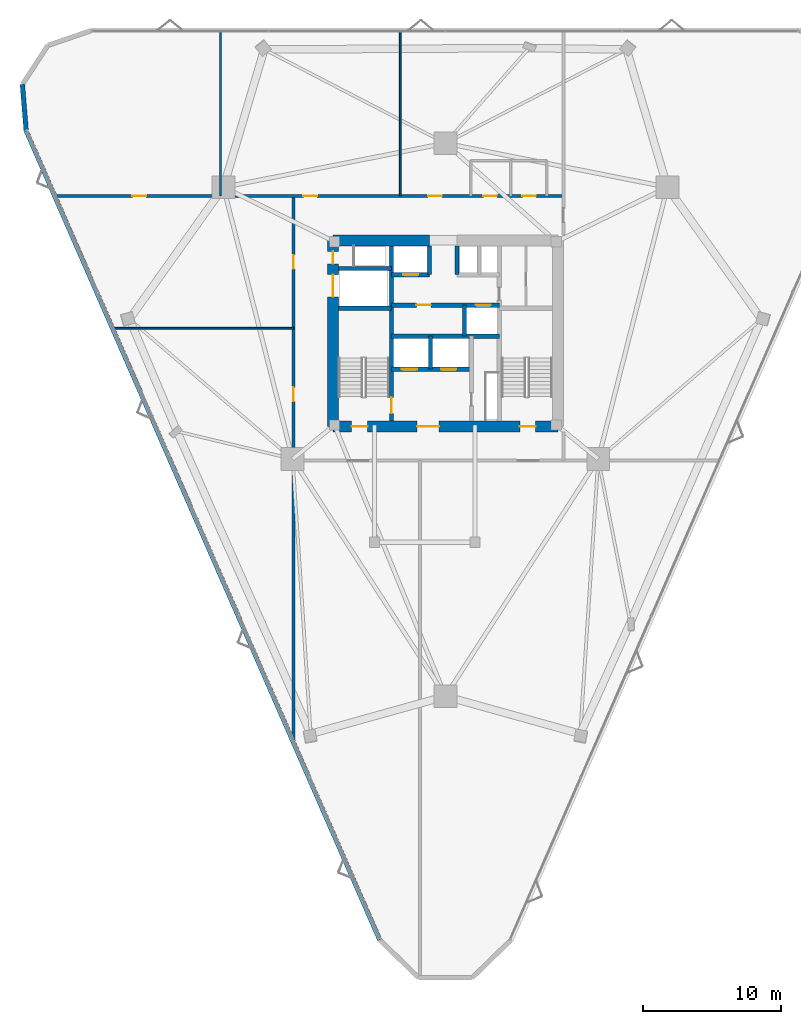
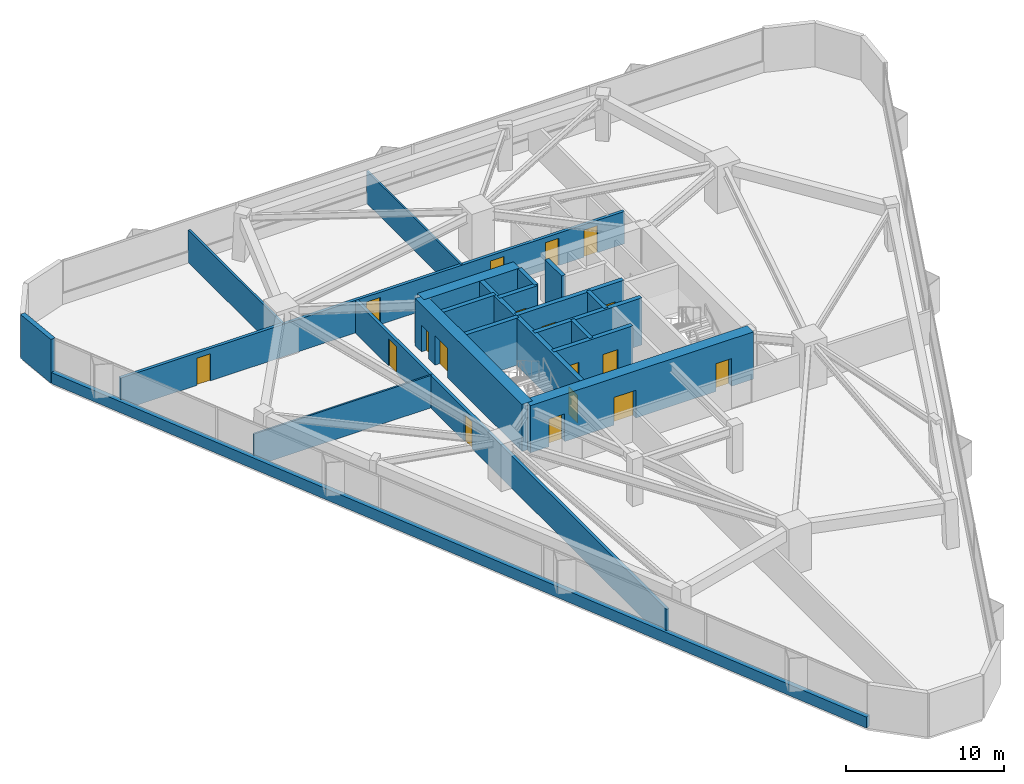
# One storey, part 13 of 16: 21 walls, 18 doors, 18 openings.
"""IFC4 building model written with IfcOpenShell, lengths in metres."""

from ifc_helpers import new_model, si_unit, direction, frame, frame_2d, origin, place, context, subcontext, project, spatial, rectangle, extrude, material, layer, layer_set, type_object, element, fill, save


model = new_model("IFC4")

# Units and contexts
model_context = context("Model", 3, precision=1e-05, world=origin(), true_north=direction((0.0, 1.0)))
body_context = subcontext(model_context, "Body", "Model", "MODEL_VIEW")
ifc_project = project(units=[si_unit("LENGTHUNIT", "METRE"), si_unit("AREAUNIT", "SQUARE_METRE"), si_unit("VOLUMEUNIT", "CUBIC_METRE"), si_unit("PLANEANGLEUNIT", "RADIAN"), si_unit("MASSUNIT", "GRAM", prefix="KILO")], contexts=[model_context])

# Site, building, storey
site_placement = place(None, origin())
site = spatial("IfcSite", under=ifc_project, at=site_placement, CompositionType="ELEMENT")
building_placement = place(site_placement, origin())
building = spatial("IfcBuilding", under=site, at=building_placement, Name="Talyreon Biosciences Tower", CompositionType="ELEMENT")
storey_placement = place(building_placement, frame((0.0, 0.0, 107.85009765625)))
storey = spatial("IfcBuildingStorey", under=building, at=storey_placement, Name="L28", CompositionType="ELEMENT", Elevation=107.85009765625)

# Walls
ifc_material_1 = material(Name="Concrete C50/60", Category="concrete")
ifc_layer_1 = layer(ifc_material_1, 0.280029296875)
ifc_layer_set_1 = layer_set([ifc_layer_1], Name="Concrete C50/60")
wall_type_1 = type_object("IfcWallType", Name="CoreShearWall_280", PredefinedType="SHEAR", material=ifc_layer_set_1)
wall_1_placement = place(storey_placement, frame((64.919921875, 65.39990234375, 0.0), z_axis=(0.0, 0.0, 1.0), x_axis=(0.0, 1.0, 0.0)))
element("IfcWall", 1, at=wall_1_placement, inside=storey, type_object=wall_type_1, Name="L28 Core Shaft Wall SWSHD1", PredefinedType="SHEAR", context=body_context, shape_type="SweptSolid", body=[
    extrude(rectangle(XDim=2.400146484375, YDim=0.280029296875, at=frame_2d((1.2001953125, 0.0))), origin(), (0.0, 0.0, 1.0), 3.64990234375),
])
for number, where, z_axis, x_axis, name in (
    (2, (64.85009765625, 72.25, 0.0), (0.0, 0.0, 1.0), (0.0, 1.0, 0.0), "L28 Core Shaft Wall SWTHW"),
    (3, (66.85009765625, 72.25, 0.0), (0.0, 0.0, 1.0), (0.0, 1.0, 0.0), "L28 Core Shaft Wall SWTHE"),
):
    element("IfcWall", number, at=place(storey_placement, frame(where, z_axis=z_axis, x_axis=x_axis)), inside=storey, type_object=wall_type_1, Name=name, PredefinedType="SHEAR", context=body_context, shape_type="SweptSolid", body=[
        extrude(rectangle(XDim=2.10009765625, YDim=0.280029296875, at=frame_2d((1.050048828125, 0.0))), origin(), (0.0, 0.0, 1.0), 3.64990234375),
    ])
wall_2_placement = place(storey_placement, frame((67.3798828125, 67.800048828125, 0.0), z_axis=(0.0, 0.0, 1.0), x_axis=(0.0, 1.0, 0.0)))
element("IfcWall", 4, at=wall_2_placement, inside=storey, type_object=wall_type_1, Name="L28 Core Shaft Wall SWPMD", PredefinedType="SHEAR", context=body_context, shape_type="SweptSolid", body=[
    extrude(rectangle(XDim=2.25, YDim=0.280029296875, at=frame_2d((1.125, 0.0))), origin(), (0.0, 0.0, 1.0), 3.64990234375),
])

# Wall, opening, door
ifc_layer_2 = layer(ifc_material_1, 0.320068359375)
ifc_layer_set_2 = layer_set([ifc_layer_2], Name="Concrete C50/60")
wall_type_2 = type_object("IfcWallType", Name="CoreShearWall_320", PredefinedType="SHEAR", material=ifc_layer_set_2)
wall_3_placement = place(storey_placement, frame((62.090087890625, 61.64990234375, 0.0), z_axis=(0.0, 0.0, 1.0), x_axis=(0.0, 1.0, 0.0)))
wall_3 = element("IfcWall", 5, at=wall_3_placement, inside=storey, type_object=wall_type_2, Name="L28 Core Shaft Wall SW1E", PredefinedType="SHEAR", context=body_context, shape_type="SweptSolid", body=[
    extrude(rectangle(XDim=12.7001953125, YDim=0.320068359375, at=frame_2d((6.35009765625, 0.0))), origin(), (0.0, 0.0, 1.0), 3.64990234375),
])
opening_1_placement = place(wall_3_placement, frame((0.550048828125, 0.0, 0.0)))
opening_1 = element("IfcOpeningElement", 6, at=opening_1_placement, cuts=wall_3, Name="Opening DR-L28-FF-ST1", PredefinedType="OPENING", context=body_context, shape_type="SweptSolid", body=[
    extrude(rectangle(XDim=1.14990234375, YDim=2.14990234375, at=frame_2d((0.574951171875, 1.074951171875))), frame((0.0, 0.169921875, 0.0), z_axis=(0.0, -1.0, 0.0), x_axis=(1.0, 0.0, 0.0)), (0.0, 0.0, 1.0), 0.340087890625),
])
ifc_material_2 = material(Name="Painted steel fire door", Category="steel")
door_type_1 = type_object("IfcDoorType", Name="StairShaftFireDoor_1150x2150", OperationType="NOTDEFINED", PredefinedType="DOOR", material=ifc_material_2)
door_1_placement = place(opening_1_placement, origin())
door_1 = element("IfcDoor", 7, at=door_1_placement, inside=storey, type_object=door_type_1, Name="L28 Core Door DR-L28-FF-ST1", OperationType="SINGLE_SWING_LEFT", OverallHeight=2.14990234375, OverallWidth=1.14990234375, PredefinedType="DOOR", context=body_context, shape_type="SweptSolid", body=[
    extrude(rectangle(XDim=1.14990234375, YDim=2.14990234375, at=frame_2d((0.574951171875, 1.074951171875))), frame((0.0, 0.02490234375, 0.0), z_axis=(0.0, -1.0, 0.0), x_axis=(1.0, 0.0, 0.0)), (0.0, 0.0, 1.0), 0.050048828125),
])
fill(opening_1, door_1)

# Walls
for number, where, z_axis, x_axis, name in (
    (8, (58.25, 69.81005859375, 0.0), (0.0, 0.0, 1.0), (1.0, 0.0, 0.0), "L28 Core Shaft Wall SW1N"),
    (9, (58.25, 72.699951171875, 0.0), (0.0, 0.0, 1.0), (1.0, 0.0, 0.0), "L28 Core Shaft Wall SWGLN"),
):
    element("IfcWall", number, at=place(storey_placement, frame(where, z_axis=z_axis, x_axis=x_axis)), inside=storey, type_object=wall_type_2, Name=name, PredefinedType="SHEAR", context=body_context, shape_type="SweptSolid", body=[
        extrude(rectangle(XDim=3.840087890625, YDim=0.320068359375, at=frame_2d((1.919921875, 0.0))), origin(), (0.0, 0.0, 1.0), 3.64990234375),
    ])
wall_4_placement = place(storey_placement, frame((62.090087890625, 67.800048828125, 0.0), z_axis=(0.0, 0.0, 1.0), x_axis=(1.0, 0.0, 0.0)))
element("IfcWall", 10, at=wall_4_placement, inside=storey, type_object=wall_type_2, Name="L28 Core Shaft Wall SWSHM", PredefinedType="SHEAR", context=body_context, shape_type="SweptSolid", body=[
    extrude(rectangle(XDim=7.81982421875, YDim=0.320068359375, at=frame_2d((3.909912109375, 0.0))), origin(), (0.0, 0.0, 1.0), 3.64990234375),
])

# Wall, openings, doors
wall_5_placement = place(storey_placement, frame((62.090087890625, 70.050048828125, 0.0), z_axis=(0.0, 0.0, 1.0), x_axis=(1.0, 0.0, 0.0)))
wall_5 = element("IfcWall", 11, at=wall_5_placement, inside=storey, type_object=wall_type_2, Name="L28 Core Shaft Wall SWSPN", PredefinedType="SHEAR", context=body_context, shape_type="SweptSolid", body=[
    extrude(rectangle(XDim=7.81982421875, YDim=0.320068359375, at=frame_2d((3.909912109375, 0.0))), origin(), (0.0, 0.0, 1.0), 3.64990234375),
])
opening_2_placement = place(wall_5_placement, frame((1.800048828125, 0.0, 0.0)))
opening_2 = element("IfcOpeningElement", 12, at=opening_2_placement, cuts=wall_5, Name="Opening DR-L28-PLFREE-A", PredefinedType="OPENING", context=body_context, shape_type="SweptSolid", body=[
    extrude(rectangle(XDim=1.050048828125, YDim=2.14990234375, at=frame_2d((0.52490234375, 1.074951171875))), frame((0.0, 0.169921875, 0.0), z_axis=(0.0, -1.0, 0.0), x_axis=(1.0, 0.0, 0.0)), (0.0, 0.0, 1.0), 0.340087890625),
])
opening_3_placement = place(wall_5_placement, frame((6.10009765625, 0.0, 0.0)))
opening_3 = element("IfcOpeningElement", 13, at=opening_3_placement, cuts=wall_5, Name="Opening LD-L28-PM1", PredefinedType="OPENING", context=body_context, shape_type="SweptSolid", body=[
    extrude(rectangle(XDim=1.10009765625, YDim=2.199951171875, at=frame_2d((0.550048828125, 1.10009765625))), frame((0.0, 0.169921875, 0.0), z_axis=(0.0, -1.0, 0.0), x_axis=(1.0, 0.0, 0.0)), (0.0, 0.0, 1.0), 0.340087890625),
])
ifc_material_3 = material(Name="Acoustic timber-core laboratory door", Category="wood")
door_type_2 = type_object("IfcDoorType", Name="DryLabSingleDoor_1050x2150", OperationType="NOTDEFINED", PredefinedType="DOOR", material=ifc_material_3)
door_2_placement = place(opening_2_placement, origin())
door_2 = element("IfcDoor", 14, at=door_2_placement, inside=storey, type_object=door_type_2, Name="L28 Core Door DR-L28-PLFREE-A", OperationType="SINGLE_SWING_LEFT", OverallHeight=2.14990234375, OverallWidth=1.050048828125, PredefinedType="DOOR", context=body_context, shape_type="SweptSolid", body=[
    extrude(rectangle(XDim=1.050048828125, YDim=2.14990234375, at=frame_2d((0.52490234375, 1.074951171875))), frame((0.0, 0.02490234375, 0.0), z_axis=(0.0, -1.0, 0.0), x_axis=(1.0, 0.0, 0.0)), (0.0, 0.0, 1.0), 0.050048828125),
])
fill(opening_2, door_2)
ifc_material_4 = material(Name="Brushed stainless-steel lift landing door", Category="steel")
door_type_3 = type_object("IfcDoorType", Name="LiftSlidingLandingDoor_1100x2200", OperationType="SLIDING_TO_LEFT", PredefinedType="DOOR", material=ifc_material_4)
door_3_placement = place(opening_3_placement, origin())
door_3 = element("IfcDoor", 15, at=door_3_placement, inside=storey, type_object=door_type_3, Name="L28 Core Door LD-L28-PM1", OperationType="SLIDING_TO_LEFT", OverallHeight=2.199951171875, OverallWidth=1.10009765625, PredefinedType="DOOR", context=body_context, shape_type="SweptSolid", body=[
    extrude(rectangle(XDim=1.10009765625, YDim=2.199951171875, at=frame_2d((0.550048828125, 1.10009765625))), frame((0.0, 0.02490234375, 0.0), z_axis=(0.0, -1.0, 0.0), x_axis=(1.0, 0.0, 0.0)), (0.0, 0.0, 1.0), 0.050048828125),
])
fill(opening_3, door_3)

# Wall, opening, door
wall_6_placement = place(storey_placement, frame((62.090087890625, 72.25, 0.0), z_axis=(0.0, 0.0, 1.0), x_axis=(1.0, 0.0, 0.0)))
wall_6 = element("IfcWall", 16, at=wall_6_placement, inside=storey, type_object=wall_type_2, Name="L28 Core Shaft Wall SWNPW", PredefinedType="SHEAR", context=body_context, shape_type="SweptSolid", body=[
    extrude(rectangle(XDim=2.760009765625, YDim=0.320068359375, at=frame_2d((1.3798828125, 0.0))), origin(), (0.0, 0.0, 1.0), 3.64990234375),
])
opening_4_placement = place(wall_6_placement, frame((0.85009765625, 0.0, 0.0)))
opening_4 = element("IfcOpeningElement", 17, at=opening_4_placement, cuts=wall_6, Name="Opening LD-L28-PM2", PredefinedType="OPENING", context=body_context, shape_type="SweptSolid", body=[
    extrude(rectangle(XDim=1.10009765625, YDim=2.199951171875, at=frame_2d((0.550048828125, 1.10009765625))), frame((0.0, 0.169921875, 0.0), z_axis=(0.0, -1.0, 0.0), x_axis=(1.0, 0.0, 0.0)), (0.0, 0.0, 1.0), 0.340087890625),
])
door_4_placement = place(opening_4_placement, origin())
door_4 = element("IfcDoor", 18, at=door_4_placement, inside=storey, type_object=door_type_3, Name="L28 Core Door LD-L28-PM2", OperationType="SLIDING_TO_LEFT", OverallHeight=2.199951171875, OverallWidth=1.10009765625, PredefinedType="DOOR", context=body_context, shape_type="SweptSolid", body=[
    extrude(rectangle(XDim=1.10009765625, YDim=2.199951171875, at=frame_2d((0.550048828125, 1.10009765625))), frame((0.0, 0.02490234375, 0.0), z_axis=(0.0, -1.0, 0.0), x_axis=(1.0, 0.0, 0.0)), (0.0, 0.0, 1.0), 0.050048828125),
])
fill(opening_4, door_4)

# Wall, openings, doors
wall_7_placement = place(storey_placement, frame((62.090087890625, 65.39990234375, 0.0), z_axis=(0.0, 0.0, 1.0), x_axis=(1.0, 0.0, 0.0)))
wall_7 = element("IfcWall", 19, at=wall_7_placement, inside=storey, type_object=wall_type_2, Name="L28 Core Shaft Wall SWFFN", PredefinedType="SHEAR", context=body_context, shape_type="SweptSolid", body=[
    extrude(rectangle(XDim=5.789794921875, YDim=0.320068359375, at=frame_2d((2.89501953125, 0.0))), origin(), (0.0, 0.0, 1.0), 3.64990234375),
])
opening_5_placement = place(wall_7_placement, frame((0.75, 0.0, 0.0)))
opening_5 = element("IfcOpeningElement", 20, at=opening_5_placement, cuts=wall_7, Name="Opening LD-L28-FL1", PredefinedType="OPENING", context=body_context, shape_type="SweptSolid", body=[
    extrude(rectangle(XDim=1.10009765625, YDim=2.199951171875, at=frame_2d((0.550048828125, 1.10009765625))), frame((0.0, 0.169921875, 0.0), z_axis=(0.0, -1.0, 0.0), x_axis=(1.0, 0.0, 0.0)), (0.0, 0.0, 1.0), 0.340087890625),
])
opening_6_placement = place(wall_7_placement, frame((3.60009765625, 0.0, 0.0)))
opening_6 = element("IfcOpeningElement", 21, at=opening_6_placement, cuts=wall_7, Name="Opening LD-L28-FL2", PredefinedType="OPENING", context=body_context, shape_type="SweptSolid", body=[
    extrude(rectangle(XDim=1.10009765625, YDim=2.199951171875, at=frame_2d((0.550048828125, 1.10009765625))), frame((0.0, 0.169921875, 0.0), z_axis=(0.0, -1.0, 0.0), x_axis=(1.0, 0.0, 0.0)), (0.0, 0.0, 1.0), 0.340087890625),
])
door_5_placement = place(opening_5_placement, origin())
door_5 = element("IfcDoor", 22, at=door_5_placement, inside=storey, type_object=door_type_3, Name="L28 Core Door LD-L28-FL1", OperationType="SLIDING_TO_LEFT", OverallHeight=2.199951171875, OverallWidth=1.10009765625, PredefinedType="DOOR", context=body_context, shape_type="SweptSolid", body=[
    extrude(rectangle(XDim=1.10009765625, YDim=2.199951171875, at=frame_2d((0.550048828125, 1.10009765625))), frame((0.0, 0.02490234375, 0.0), z_axis=(0.0, -1.0, 0.0), x_axis=(1.0, 0.0, 0.0)), (0.0, 0.0, 1.0), 0.050048828125),
])
fill(opening_5, door_5)
door_6_placement = place(opening_6_placement, origin())
door_6 = element("IfcDoor", 23, at=door_6_placement, inside=storey, type_object=door_type_3, Name="L28 Core Door LD-L28-FL2", OperationType="SLIDING_TO_LEFT", OverallHeight=2.199951171875, OverallWidth=1.10009765625, PredefinedType="DOOR", context=body_context, shape_type="SweptSolid", body=[
    extrude(rectangle(XDim=1.10009765625, YDim=2.199951171875, at=frame_2d((0.550048828125, 1.10009765625))), frame((0.0, 0.02490234375, 0.0), z_axis=(0.0, -1.0, 0.0), x_axis=(1.0, 0.0, 0.0)), (0.0, 0.0, 1.0), 0.050048828125),
])
fill(opening_6, door_6)

ifc_material_5 = material(Name="Concrete C60/75", Category="concrete")
ifc_layer_3 = layer(ifc_material_5, 0.800048828125)
ifc_layer_set_3 = layer_set([ifc_layer_3], Name="Concrete C60/75")
wall_type_3 = type_object("IfcWallType", Name="CoreShearWall_800", PredefinedType="SHEAR", material=ifc_layer_set_3)
wall_8_placement = place(storey_placement, frame((57.85009765625, 61.25, 0.0), z_axis=(0.0, 0.0, 1.0), x_axis=(1.0, 0.0, 0.0)))
wall_8 = element("IfcWall", 24, at=wall_8_placement, inside=storey, type_object=wall_type_3, Name="L28 Core Shear Wall S", PredefinedType="SHEAR", context=body_context, shape_type="SweptSolid", body=[
    extrude(rectangle(XDim=16.2998046875, YDim=0.800048828125, at=frame_2d((8.14990234375, 0.0))), origin(), (0.0, 0.0, 1.0), 3.64990234375),
])
opening_7_placement = place(wall_8_placement, frame((1.35009765625, 0.0, 0.0)))
opening_7 = element("IfcOpeningElement", 25, at=opening_7_placement, cuts=wall_8, Name="Opening DR-L28-ST1", PredefinedType="OPENING", context=body_context, shape_type="SweptSolid", body=[
    extrude(rectangle(XDim=1.14990234375, YDim=2.14990234375, at=frame_2d((0.574951171875, 1.074951171875))), frame((0.0, 0.409912109375, 0.0), z_axis=(0.0, -1.0, 0.0), x_axis=(1.0, 0.0, 0.0)), (0.0, 0.0, 1.0), 0.820068359375),
])
opening_8_placement = place(wall_8_placement, frame((6.10009765625, 0.0, 0.0)))
opening_8 = element("IfcOpeningElement", 26, at=opening_8_placement, cuts=wall_8, Name="Opening DR-L28-FFL", PredefinedType="OPENING", context=body_context, shape_type="SweptSolid", body=[
    extrude(rectangle(XDim=1.60009765625, YDim=2.14990234375, at=frame_2d((0.800048828125, 1.074951171875))), frame((0.0, 0.409912109375, 0.0), z_axis=(0.0, -1.0, 0.0), x_axis=(1.0, 0.0, 0.0)), (0.0, 0.0, 1.0), 0.820068359375),
])
opening_9_placement = place(wall_8_placement, frame((13.550048828125, 0.0, 0.0)))
opening_9 = element("IfcOpeningElement", 27, at=opening_9_placement, cuts=wall_8, Name="Opening DR-L28-ST2", PredefinedType="OPENING", context=body_context, shape_type="SweptSolid", body=[
    extrude(rectangle(XDim=1.14990234375, YDim=2.14990234375, at=frame_2d((0.574951171875, 1.074951171875))), frame((0.0, 0.409912109375, 0.0), z_axis=(0.0, -1.0, 0.0), x_axis=(1.0, 0.0, 0.0)), (0.0, 0.0, 1.0), 0.820068359375),
])
ifc_material_6 = material(Name="Painted steel smoke-seal fire door", Category="steel")
door_type_4 = type_object("IfcDoorType", Name="FirefightingLobbyDoubleDoor_1600x2150", OperationType="DOUBLE_DOOR_SINGLE_SWING", PredefinedType="DOOR", material=ifc_material_6)
door_7_placement = place(opening_8_placement, origin())
door_7 = element("IfcDoor", 28, at=door_7_placement, inside=storey, type_object=door_type_4, Name="L28 Core Door DR-L28-FFL", OperationType="DOUBLE_DOOR_SINGLE_SWING", OverallHeight=2.14990234375, OverallWidth=1.60009765625, PredefinedType="DOOR", context=body_context, shape_type="SweptSolid", body=[
    extrude(rectangle(XDim=1.60009765625, YDim=2.14990234375, at=frame_2d((0.800048828125, 1.074951171875))), frame((0.0, 0.02490234375, 0.0), z_axis=(0.0, -1.0, 0.0), x_axis=(1.0, 0.0, 0.0)), (0.0, 0.0, 1.0), 0.050048828125),
])
fill(opening_8, door_7)
door_8_placement = place(opening_7_placement, origin())
door_8 = element("IfcDoor", 29, at=door_8_placement, inside=storey, type_object=door_type_1, Name="L28 Core Door DR-L28-ST1", OperationType="SINGLE_SWING_LEFT", OverallHeight=2.14990234375, OverallWidth=1.14990234375, PredefinedType="DOOR", context=body_context, shape_type="SweptSolid", body=[
    extrude(rectangle(XDim=1.14990234375, YDim=2.14990234375, at=frame_2d((0.574951171875, 1.074951171875))), frame((0.0, 0.02490234375, 0.0), z_axis=(0.0, -1.0, 0.0), x_axis=(1.0, 0.0, 0.0)), (0.0, 0.0, 1.0), 0.050048828125),
])
fill(opening_7, door_8)
door_9_placement = place(opening_9_placement, origin())
door_9 = element("IfcDoor", 30, at=door_9_placement, inside=storey, type_object=door_type_1, Name="L28 Core Door DR-L28-ST2", OperationType="SINGLE_SWING_RIGHT", OverallHeight=2.14990234375, OverallWidth=1.14990234375, PredefinedType="DOOR", context=body_context, shape_type="SweptSolid", body=[
    extrude(rectangle(XDim=1.14990234375, YDim=2.14990234375, at=frame_2d((0.574951171875, 1.074951171875))), frame((0.0, 0.02490234375, 0.0), z_axis=(0.0, -1.0, 0.0), x_axis=(1.0, 0.0, 0.0)), (0.0, 0.0, 1.0), 0.050048828125),
])
fill(opening_9, door_9)

# Wall
wall_9_placement = place(storey_placement, frame((64.85009765625, 74.75, 0.0), z_axis=(0.0, 0.0, 1.0), x_axis=(-1.0, 0.0, 0.0)))
element("IfcWall", 31, at=wall_9_placement, inside=storey, type_object=wall_type_3, Name="L28 Core Shear Wall NW", PredefinedType="SHEAR", context=body_context, shape_type="SweptSolid", body=[
    extrude(rectangle(XDim=7.0, YDim=0.800048828125, at=frame_2d((3.5, 0.0))), origin(), (0.0, 0.0, 1.0), 3.64990234375),
])

# Wall, openings, doors
wall_10_placement = place(storey_placement, frame((57.85009765625, 74.75, 0.0), z_axis=(0.0, 0.0, 1.0), x_axis=(0.0, -1.0, 0.0)))
wall_10 = element("IfcWall", 32, at=wall_10_placement, inside=storey, type_object=wall_type_3, Name="L28 Core Shear Wall W", PredefinedType="SHEAR", context=body_context, shape_type="SweptSolid", body=[
    extrude(rectangle(XDim=13.5, YDim=0.800048828125, at=frame_2d((6.75, 0.0))), origin(), (0.0, 0.0, 1.0), 3.64990234375),
])
opening_10_placement = place(wall_10_placement, frame((0.800048828125, 0.0, 0.0)))
opening_10 = element("IfcOpeningElement", 33, at=opening_10_placement, cuts=wall_10, Name="Opening DR-L28-RSW", PredefinedType="OPENING", context=body_context, shape_type="SweptSolid", body=[
    extrude(rectangle(XDim=0.919921875, YDim=2.050048828125, at=frame_2d((0.4599609375, 1.02490234375))), frame((0.0, 0.409912109375, 0.0), z_axis=(0.0, -1.0, 0.0), x_axis=(1.0, 0.0, 0.0)), (0.0, 0.0, 1.0), 0.820068359375),
])
opening_11_placement = place(wall_10_placement, frame((2.5, 0.0, 0.0)))
opening_11 = element("IfcOpeningElement", 34, at=opening_11_placement, cuts=wall_10, Name="Opening LD-L28-GL1", PredefinedType="OPENING", context=body_context, shape_type="SweptSolid", body=[
    extrude(rectangle(XDim=1.60009765625, YDim=2.300048828125, at=frame_2d((0.800048828125, 1.14990234375))), frame((0.0, 0.409912109375, 0.0), z_axis=(0.0, -1.0, 0.0), x_axis=(1.0, 0.0, 0.0)), (0.0, 0.0, 1.0), 0.820068359375),
])
ifc_material_7 = material(Name="Heavy-duty stainless-steel goods lift door", Category="steel")
door_type_5 = type_object("IfcDoorType", Name="GoodsLiftSlidingDoor_1600x2300", OperationType="DOUBLE_DOOR_SLIDING", PredefinedType="DOOR", material=ifc_material_7)
door_10_placement = place(opening_11_placement, origin())
door_10 = element("IfcDoor", 35, at=door_10_placement, inside=storey, type_object=door_type_5, Name="L28 Core Door LD-L28-GL1", OperationType="DOUBLE_DOOR_SLIDING", OverallHeight=2.300048828125, OverallWidth=1.60009765625, PredefinedType="DOOR", context=body_context, shape_type="SweptSolid", body=[
    extrude(rectangle(XDim=1.60009765625, YDim=2.300048828125, at=frame_2d((0.800048828125, 1.14990234375))), frame((0.0, 0.02490234375, 0.0), z_axis=(0.0, -1.0, 0.0), x_axis=(1.0, 0.0, 0.0)), (0.0, 0.0, 1.0), 0.050048828125),
])
fill(opening_11, door_10)
ifc_material_8 = material(Name="Painted steel fire-rated riser door", Category="steel")
door_type_6 = type_object("IfcDoorType", Name="RiserPlantAccessDoor_920x2050", OperationType="NOTDEFINED", PredefinedType="DOOR", material=ifc_material_8)
door_11_placement = place(opening_10_placement, origin())
door_11 = element("IfcDoor", 36, at=door_11_placement, inside=storey, type_object=door_type_6, Name="L28 Core Door DR-L28-RSW", OperationType="SINGLE_SWING_LEFT", OverallHeight=2.050048828125, OverallWidth=0.919921875, PredefinedType="DOOR", context=body_context, shape_type="SweptSolid", body=[
    extrude(rectangle(XDim=0.919921875, YDim=2.050048828125, at=frame_2d((0.4599609375, 1.02490234375))), frame((0.0, 0.02490234375, 0.0), z_axis=(0.0, -1.0, 0.0), x_axis=(1.0, 0.0, 0.0)), (0.0, 0.0, 1.0), 0.050048828125),
])
fill(opening_10, door_11)

ifc_material_9 = material(Name="Gypsum fireboard acoustic stud", Category="gypsum")
ifc_layer_4 = layer(ifc_material_9, 0.219970703125)
ifc_layer_set_4 = layer_set([ifc_layer_4], Name="Gypsum fireboard acoustic stud")
wall_type_4 = type_object("IfcWallType", Name="CorridorRatedPartition_220", PredefinedType="PARTITIONING", material=ifc_layer_set_4)
wall_11_placement = place(storey_placement, frame((37.74267578125, 77.969970703125, 0.0), z_axis=(0.0, 0.0, 1.0), x_axis=(1.0, 0.0, 0.0)))
wall_11 = element("IfcWall", 37, at=wall_11_placement, inside=storey, type_object=wall_type_4, Name="L28 Interior Wall IW-L28-COR-N", PredefinedType="PARTITIONING", context=body_context, shape_type="SweptSolid", body=[
    extrude(rectangle(XDim=36.807373046875, YDim=0.219970703125, at=frame_2d((18.40380859375, 0.0))), origin(), (0.0, 0.0, 1.0), 2.5048828125),
])
opening_12_placement = place(wall_11_placement, frame((31.01708984375, 0.0, 0.0)))
opening_12 = element("IfcOpeningElement", 38, at=opening_12_placement, cuts=wall_11, Name="Opening DR-L28-WC", PredefinedType="OPENING", context=body_context, shape_type="SweptSolid", body=[
    extrude(rectangle(XDim=0.97998046875, YDim=2.10009765625, at=frame_2d((0.489990234375, 1.050048828125))), frame((0.0, 0.119873046875, 0.0), z_axis=(0.0, -1.0, 0.0), x_axis=(1.0, 0.0, 0.0)), (0.0, 0.0, 1.0), 0.239990234375),
])
opening_13_placement = place(wall_11_placement, frame((33.842041015625, 0.0, 0.0)))
opening_13 = element("IfcOpeningElement", 39, at=opening_13_placement, cuts=wall_11, Name="Opening DR-L28-AWC", PredefinedType="OPENING", context=body_context, shape_type="SweptSolid", body=[
    extrude(rectangle(XDim=0.97998046875, YDim=2.10009765625, at=frame_2d((0.489990234375, 1.050048828125))), frame((0.0, 0.119873046875, 0.0), z_axis=(0.0, -1.0, 0.0), x_axis=(1.0, 0.0, 0.0)), (0.0, 0.0, 1.0), 0.239990234375),
])
opening_14_placement = place(wall_11_placement, frame((5.544921875, 0.0, 0.0)))
opening_14 = element("IfcOpeningElement", 40, at=opening_14_placement, cuts=wall_11, Name="Opening DR-L28-N1A", PredefinedType="OPENING", context=body_context, shape_type="SweptSolid", body=[
    extrude(rectangle(XDim=1.0, YDim=2.10009765625, at=frame_2d((0.5, 1.050048828125))), frame((0.0, 0.119873046875, 0.0), z_axis=(0.0, -1.0, 0.0), x_axis=(1.0, 0.0, 0.0)), (0.0, 0.0, 1.0), 0.239990234375),
])
opening_15_placement = place(wall_11_placement, frame((17.95703125, 0.0, 0.0)))
opening_15 = element("IfcOpeningElement", 41, at=opening_15_placement, cuts=wall_11, Name="Opening DR-L28-N2A", PredefinedType="OPENING", context=body_context, shape_type="SweptSolid", body=[
    extrude(rectangle(XDim=1.0, YDim=2.10009765625, at=frame_2d((0.5, 1.050048828125))), frame((0.0, 0.119873046875, 0.0), z_axis=(0.0, -1.0, 0.0), x_axis=(1.0, 0.0, 0.0)), (0.0, 0.0, 1.0), 0.239990234375),
])
opening_16_placement = place(wall_11_placement, frame((27.0009765625, 0.0, 0.0)))
opening_16 = element("IfcOpeningElement", 42, at=opening_16_placement, cuts=wall_11, Name="Opening DR-L28-N3A", PredefinedType="OPENING", context=body_context, shape_type="SweptSolid", body=[
    extrude(rectangle(XDim=1.0, YDim=2.10009765625, at=frame_2d((0.5, 1.050048828125))), frame((0.0, 0.119873046875, 0.0), z_axis=(0.0, -1.0, 0.0), x_axis=(1.0, 0.0, 0.0)), (0.0, 0.0, 1.0), 0.239990234375),
])
ifc_material_10 = material(Name="Laminate moisture-resistant door", Category="wood")
door_type_7 = type_object("IfcDoorType", Name="AccessibleToiletDoor_980x2100", OperationType="NOTDEFINED", PredefinedType="DOOR", material=ifc_material_10)
door_12_placement = place(opening_12_placement, origin())
door_12 = element("IfcDoor", 43, at=door_12_placement, inside=storey, type_object=door_type_7, Name="L28 Interior Door DR-L28-WC", OperationType="SINGLE_SWING_RIGHT", OverallHeight=2.10009765625, OverallWidth=0.97998046875, PredefinedType="DOOR", context=body_context, shape_type="SweptSolid", body=[
    extrude(rectangle(XDim=0.97998046875, YDim=2.10009765625, at=frame_2d((0.489990234375, 1.050048828125))), frame((0.0, 0.02490234375, 0.0), z_axis=(0.0, -1.0, 0.0), x_axis=(1.0, 0.0, 0.0)), (0.0, 0.0, 1.0), 0.050048828125),
])
fill(opening_12, door_12)
door_13_placement = place(opening_13_placement, origin())
door_13 = element("IfcDoor", 44, at=door_13_placement, inside=storey, type_object=door_type_7, Name="L28 Interior Door DR-L28-AWC", OperationType="SINGLE_SWING_RIGHT", OverallHeight=2.10009765625, OverallWidth=0.97998046875, PredefinedType="DOOR", context=body_context, shape_type="SweptSolid", body=[
    extrude(rectangle(XDim=0.97998046875, YDim=2.10009765625, at=frame_2d((0.489990234375, 1.050048828125))), frame((0.0, 0.02490234375, 0.0), z_axis=(0.0, -1.0, 0.0), x_axis=(1.0, 0.0, 0.0)), (0.0, 0.0, 1.0), 0.050048828125),
])
fill(opening_13, door_13)
ifc_material_11 = material(Name="Acoustic oak veneer office door", Category="wood")
door_type_8 = type_object("IfcDoorType", Name="WriteupOfficeDoor_1000x2100", OperationType="NOTDEFINED", PredefinedType="DOOR", material=ifc_material_11)
door_14_placement = place(opening_14_placement, origin())
door_14 = element("IfcDoor", 45, at=door_14_placement, inside=storey, type_object=door_type_8, Name="L28 Interior Door DR-L28-N1A", OperationType="SINGLE_SWING_RIGHT", OverallHeight=2.10009765625, OverallWidth=1.0, PredefinedType="DOOR", context=body_context, shape_type="SweptSolid", body=[
    extrude(rectangle(XDim=1.0, YDim=2.10009765625, at=frame_2d((0.5, 1.050048828125))), frame((0.0, 0.02490234375, 0.0), z_axis=(0.0, -1.0, 0.0), x_axis=(1.0, 0.0, 0.0)), (0.0, 0.0, 1.0), 0.050048828125),
])
fill(opening_14, door_14)
door_15_placement = place(opening_15_placement, origin())
door_15 = element("IfcDoor", 46, at=door_15_placement, inside=storey, type_object=door_type_8, Name="L28 Interior Door DR-L28-N2A", OperationType="SINGLE_SWING_LEFT", OverallHeight=2.10009765625, OverallWidth=1.0, PredefinedType="DOOR", context=body_context, shape_type="SweptSolid", body=[
    extrude(rectangle(XDim=1.0, YDim=2.10009765625, at=frame_2d((0.5, 1.050048828125))), frame((0.0, 0.02490234375, 0.0), z_axis=(0.0, -1.0, 0.0), x_axis=(1.0, 0.0, 0.0)), (0.0, 0.0, 1.0), 0.050048828125),
])
fill(opening_15, door_15)
door_16_placement = place(opening_16_placement, origin())
door_16 = element("IfcDoor", 47, at=door_16_placement, inside=storey, type_object=door_type_8, Name="L28 Interior Door DR-L28-N3A", OperationType="SINGLE_SWING_RIGHT", OverallHeight=2.10009765625, OverallWidth=1.0, PredefinedType="DOOR", context=body_context, shape_type="SweptSolid", body=[
    extrude(rectangle(XDim=1.0, YDim=2.10009765625, at=frame_2d((0.5, 1.050048828125))), frame((0.0, 0.02490234375, 0.0), z_axis=(0.0, -1.0, 0.0), x_axis=(1.0, 0.0, 0.0)), (0.0, 0.0, 1.0), 0.050048828125),
])
fill(opening_16, door_16)

wall_12_placement = place(storey_placement, frame((54.97998046875, 38.519775390625, 0.0), z_axis=(0.0, 0.0, 1.0), x_axis=(0.0, 1.0, 0.0)))
wall_12 = element("IfcWall", 48, at=wall_12_placement, inside=storey, type_object=wall_type_4, Name="L28 Interior Wall IW-L28-COR-W", PredefinedType="PARTITIONING", context=body_context, shape_type="SweptSolid", body=[
    extrude(rectangle(XDim=39.4501953125, YDim=0.219970703125, at=frame_2d((19.72509765625, 0.0))), origin(), (0.0, 0.0, 1.0), 2.5048828125),
])
opening_17_placement = place(wall_12_placement, frame((24.550048828125, 0.0, 0.0)))
opening_17 = element("IfcOpeningElement", 49, at=opening_17_placement, cuts=wall_12, Name="Opening DR-L28-W1A", PredefinedType="OPENING", context=body_context, shape_type="SweptSolid", body=[
    extrude(rectangle(XDim=1.0, YDim=2.10009765625, at=frame_2d((0.5, 1.050048828125))), frame((0.0, 0.119873046875, 0.0), z_axis=(0.0, -1.0, 0.0), x_axis=(1.0, 0.0, 0.0)), (0.0, 0.0, 1.0), 0.239990234375),
])
opening_18_placement = place(wall_12_placement, frame((34.14990234375, 0.0, 0.0)))
opening_18 = element("IfcOpeningElement", 50, at=opening_18_placement, cuts=wall_12, Name="Opening DR-L28-W2A", PredefinedType="OPENING", context=body_context, shape_type="SweptSolid", body=[
    extrude(rectangle(XDim=1.0, YDim=2.10009765625, at=frame_2d((0.5, 1.050048828125))), frame((0.0, 0.119873046875, 0.0), z_axis=(0.0, -1.0, 0.0), x_axis=(1.0, 0.0, 0.0)), (0.0, 0.0, 1.0), 0.239990234375),
])
door_17_placement = place(opening_17_placement, origin())
door_17 = element("IfcDoor", 51, at=door_17_placement, inside=storey, type_object=door_type_8, Name="L28 Interior Door DR-L28-W1A", OperationType="SINGLE_SWING_LEFT", OverallHeight=2.10009765625, OverallWidth=1.0, PredefinedType="DOOR", context=body_context, shape_type="SweptSolid", body=[
    extrude(rectangle(XDim=1.0, YDim=2.10009765625, at=frame_2d((0.5, 1.050048828125))), frame((0.0, 0.02490234375, 0.0), z_axis=(0.0, -1.0, 0.0), x_axis=(1.0, 0.0, 0.0)), (0.0, 0.0, 1.0), 0.050048828125),
])
fill(opening_17, door_17)
door_18_placement = place(opening_18_placement, origin())
door_18 = element("IfcDoor", 52, at=door_18_placement, inside=storey, type_object=door_type_8, Name="L28 Interior Door DR-L28-W2A", OperationType="SINGLE_SWING_LEFT", OverallHeight=2.10009765625, OverallWidth=1.0, PredefinedType="DOOR", context=body_context, shape_type="SweptSolid", body=[
    extrude(rectangle(XDim=1.0, YDim=2.10009765625, at=frame_2d((0.5, 1.050048828125))), frame((0.0, 0.02490234375, 0.0), z_axis=(0.0, -1.0, 0.0), x_axis=(1.0, 0.0, 0.0)), (0.0, 0.0, 1.0), 0.050048828125),
])
fill(opening_18, door_18)

# Walls
ifc_material_12 = material(Name="Gypsum acoustic stud partition", Category="gypsum")
ifc_layer_5 = layer(ifc_material_12, 0.159912109375)
ifc_layer_set_5 = layer_set([ifc_layer_5], Name="Gypsum acoustic stud partition")
wall_type_5 = type_object("IfcWallType", Name="LabSeparationPartition_160", PredefinedType="PARTITIONING", material=ifc_layer_set_5)
wall_13_placement = place(storey_placement, frame((49.68310546875, 77.969970703125, 0.0), z_axis=(0.0, 0.0, 1.0), x_axis=(0.0, 1.0, 0.0)))
element("IfcWall", 53, at=wall_13_placement, inside=storey, type_object=wall_type_5, Name="L28 Interior Wall IW-L28-NDIV1", PredefinedType="PARTITIONING", context=body_context, shape_type="SweptSolid", body=[
    extrude(rectangle(XDim=11.931640625, YDim=0.159912109375, at=frame_2d((5.9658203125, 0.0))), origin(), (0.0, 0.0, 1.0), 2.5048828125),
])
ifc_layer_6 = layer(ifc_material_12, 0.1298828125)
ifc_layer_set_6 = layer_set([ifc_layer_6], Name="Gypsum acoustic stud partition")
wall_type_6 = type_object("IfcWallType", Name="OfficeWriteupPartition_130", PredefinedType="PARTITIONING", material=ifc_layer_set_6)
wall_14_placement = place(storey_placement, frame((62.717041015625, 77.969970703125, 0.0), z_axis=(0.0, 0.0, 1.0), x_axis=(0.0, 1.0, 0.0)))
element("IfcWall", 54, at=wall_14_placement, inside=storey, type_object=wall_type_6, Name="L28 Interior Wall IW-L28-NDIV2", PredefinedType="PARTITIONING", context=body_context, shape_type="SweptSolid", body=[
    extrude(rectangle(XDim=11.931640625, YDim=0.1298828125, at=frame_2d((5.9658203125, 0.0))), origin(), (0.0, 0.0, 1.0), 2.5048828125),
])
wall_15_placement = place(storey_placement, frame((41.937255859375, 68.3701171875, 0.0), z_axis=(0.0, 0.0, 1.0), x_axis=(1.0, 0.0, 0.0)))
element("IfcWall", 55, at=wall_15_placement, inside=storey, type_object=wall_type_6, Name="L28 Interior Wall IW-L28-WDIV1", PredefinedType="PARTITIONING", context=body_context, shape_type="SweptSolid", body=[
    extrude(rectangle(XDim=13.042724609375, YDim=0.1298828125, at=frame_2d((6.521484375, 0.0))), origin(), (0.0, 0.0, 1.0), 2.5048828125),
])
ifc_material_13 = material(Name="Precast concrete C45/55", Category="concrete")
ifc_layer_7 = layer(ifc_material_13, 0.340087890625)
ifc_layer_set_7 = layer_set([ifc_layer_7], Name="Precast concrete C45/55")
wall_type_7 = type_object("IfcWallType", Name="PrecastConcreteSpandrelWall_340", PredefinedType="STANDARD", material=ifc_layer_set_7)
wall_16_placement = place(storey_placement, frame((61.235107421875, 23.991943359375, 0.0), z_axis=(0.0, 0.0, 1.0), x_axis=(-0.400386830101, 0.916346215293, 0.0)))
element("IfcWall", 56, at=wall_16_placement, inside=storey, type_object=wall_type_7, Name="L28 Expressed Concrete Sill Wall 00", PredefinedType="STANDARD", context=body_context, shape_type="SweptSolid", body=[
    extrude(rectangle(XDim=64.072509765625, YDim=0.340087890625, at=frame_2d((32.0361328125, 0.0))), origin(), (0.0, 0.0, 1.0), 0.849853515625),
])
wall_17_placement = place(storey_placement, frame((35.581298828125, 82.70458984375, 0.0), z_axis=(0.0, 0.0, 1.0), x_axis=(-0.081458806321, 0.996676709306, 0.0)))
element("IfcWall", 57, at=wall_17_placement, inside=storey, type_object=wall_type_7, Name="L28 Rounded-Corner Concrete Pier 01", PredefinedType="STANDARD", context=body_context, shape_type="SweptSolid", body=[
    extrude(rectangle(XDim=3.374755859375, YDim=0.340087890625, at=frame_2d((1.6875, 0.0))), origin(), (0.0, 0.0, 1.0), 3.375),
])

save(model, "model.ifc")
